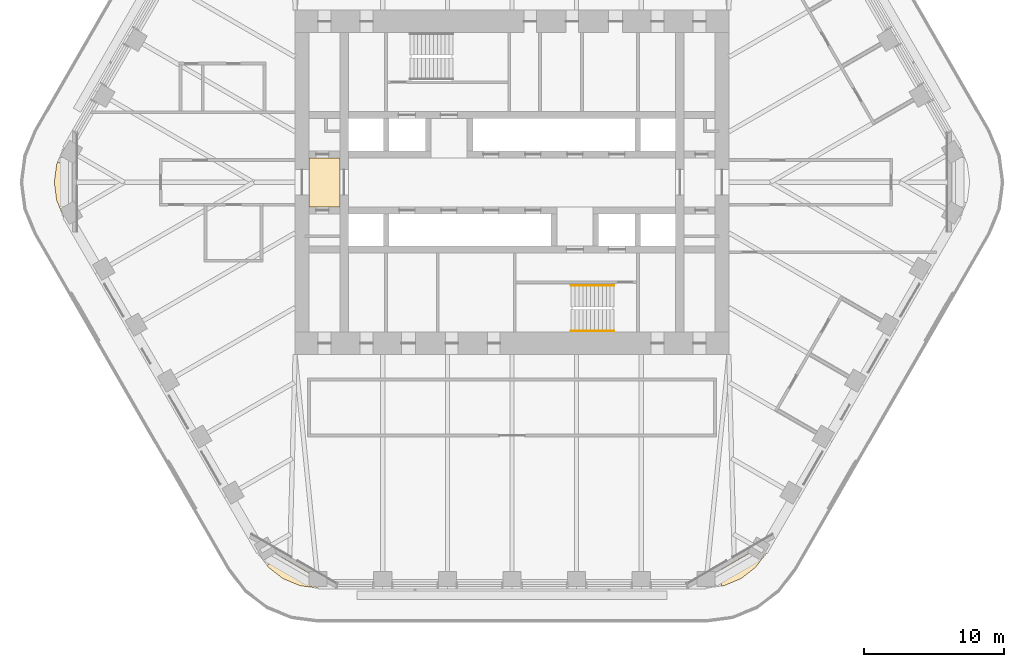
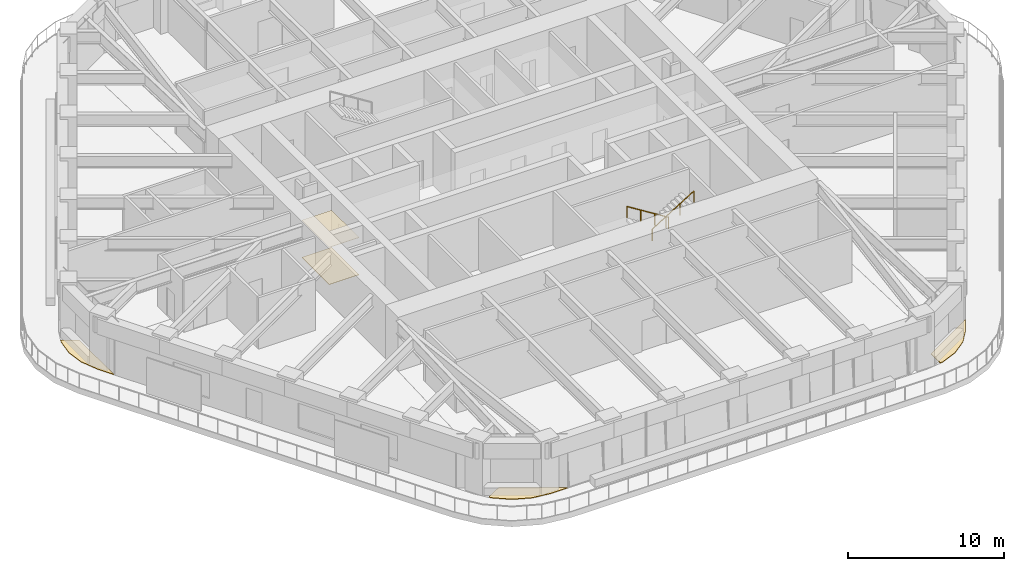
# One storey, part 18 of 20: 5 coverings, 2 railings.
"""IFC4 building model written with IfcOpenShell, lengths in metres."""

from ifc_helpers import new_model, si_unit, direction, frame, origin, origin_2d, place, context, subcontext, project, spatial, polyline, circle, outline, extrude, material, layer, layer_set, type_object, element, save


model = new_model("IFC4")

# Units and contexts
model_context = context("Model", 3, precision=1e-05, world=origin(), true_north=direction((0.0, 1.0)))
body_context = subcontext(model_context, "Body", "Model", "MODEL_VIEW")
ifc_project = project(units=[si_unit("LENGTHUNIT", "METRE"), si_unit("AREAUNIT", "SQUARE_METRE"), si_unit("VOLUMEUNIT", "CUBIC_METRE"), si_unit("PLANEANGLEUNIT", "RADIAN"), si_unit("MASSUNIT", "GRAM", prefix="KILO")], contexts=[model_context])

# Site, building, storey
site_placement = place(None, origin())
site = spatial("IfcSite", under=ifc_project, at=site_placement, CompositionType="ELEMENT")
building_placement = place(site_placement, origin())
building = spatial("IfcBuilding", under=site, at=building_placement, Name="Tarfa Lantern Tower", CompositionType="ELEMENT")
storey_placement = place(building_placement, frame((0.0, 0.0, 240.699951171875)))
storey = spatial("IfcBuildingStorey", under=building, at=storey_placement, Name="L54", CompositionType="ELEMENT", Elevation=240.699951171875)

# Coverings
ifc_material_1 = material(Name="Powder-coated aluminium panel", Category="aluminium")
ifc_layer_1 = layer(ifc_material_1, 0.030029296875)
ifc_layer_set_1 = layer_set([ifc_layer_1], Name="CL3 METAL PANEL CEILING 30")
covering_type_1 = type_object("IfcCoveringType", Name="CL3 METAL PANEL CEILING 30", PredefinedType="CEILING", material=ifc_layer_set_1)
covering_1_placement = place(storey_placement, frame((0.0, 0.0, 2.900146484375)))
element("IfcCovering", 1, at=covering_1_placement, inside=storey, type_object=covering_type_1, Name="Ceiling L54-01", PredefinedType="CEILING", context=body_context, shape_type="SweptSolid", body=[
    extrude(outline(polyline([(-14.5, -1.75), (-12.300048828125, -1.75), (-12.300048828125, 1.75), (-14.5, 1.75), (-14.5, -1.75)])), origin(), (0.0, 0.0, 1.0), 0.02978515625),
])
ifc_material_2 = material(Name="Honed limestone flooring", Category="masonry")
ifc_layer_2 = layer(ifc_material_2, 0.030029296875)
ifc_layer_set_2 = layer_set([ifc_layer_2], Name="FL2 STONE FLOORING 30")
covering_type_2 = type_object("IfcCoveringType", Name="FL2 STONE FLOORING 30", PredefinedType="FLOORING", material=ifc_layer_set_2)
covering_2_placement = place(storey_placement, origin())
element("IfcCovering", 2, at=covering_2_placement, inside=storey, type_object=covering_type_2, Name="Floor finish L54-01", PredefinedType="FLOORING", context=body_context, shape_type="SweptSolid", body=[
    extrude(outline(polyline([(-14.5, -1.75), (-12.300048828125, -1.75), (-12.300048828125, 1.75), (-14.5, 1.75), (-14.5, -1.75)])), origin(), (0.0, 0.0, 1.0), 0.030029296875),
])

# Railings
ifc_material_3 = material(Name="Stainless steel", Category="steel")
railing_type = type_object("IfcRailingType", Name="HR1 HANDRAIL 900", PredefinedType="HANDRAIL", material=ifc_material_3)
railing_1_placement = place(storey_placement, frame((7.300048828125, -7.3798828125, 0.175048828125)))
element("IfcRailing", 3, at=railing_1_placement, inside=storey, type_object=railing_type, Name="Handrail 1", PredefinedType="HANDRAIL", context=body_context, shape_type="SweptSolid", body=[
    extrude(circle(Radius=0.02392578125, at=origin_2d()), frame((0.0, 0.0, 0.8759765625), z_axis=(-0.847998304005, 0.0, 0.529998940003), x_axis=(0.0, -1.0, 0.0)), (0.0, 0.0, 1.0), 3.632080078125),
    extrude(circle(Radius=0.02099609375, at=origin_2d()), frame((0.0, 0.0, 0.0), z_axis=(0.0, 0.0, 1.0), x_axis=(0.0, -1.0, 0.0)), (0.0, 0.0, 1.0), 0.851806640625),
    extrude(circle(Radius=0.02099609375, at=origin_2d()), frame((-1.026611328125, 0.0, 0.6416015625), z_axis=(0.0, 0.0, 1.0), x_axis=(0.0, -1.0, 0.0)), (0.0, 0.0, 1.0), 0.851806640625),
    extrude(circle(Radius=0.02099609375, at=origin_2d()), frame((-2.053466796875, 0.0, 1.283447265625), z_axis=(0.0, 0.0, 1.0), x_axis=(0.0, -1.0, 0.0)), (0.0, 0.0, 1.0), 0.851806640625),
    extrude(circle(Radius=0.02099609375, at=origin_2d()), frame((-3.080078125, 0.0, 1.925048828125), z_axis=(0.0, 0.0, 1.0), x_axis=(0.0, -1.0, 0.0)), (0.0, 0.0, 1.0), 0.851806640625),
])
railing_2_placement = place(storey_placement, frame((4.219970703125, -10.6201171875, 2.275146484375)))
element("IfcRailing", 4, at=railing_2_placement, inside=storey, type_object=railing_type, Name="Handrail 2", PredefinedType="HANDRAIL", context=body_context, shape_type="SweptSolid", body=[
    extrude(circle(Radius=0.02392578125, at=origin_2d()), frame((0.0, 0.0, 0.8759765625), z_axis=(0.848028513186, 0.0, 0.529950602248), x_axis=(0.0, 1.0, 0.0)), (0.0, 0.0, 1.0), 3.632080078125),
    extrude(circle(Radius=0.02099609375, at=origin_2d()), frame((0.0, 0.0, 0.0), z_axis=(0.0, 0.0, 1.0), x_axis=(0.0, 1.0, 0.0)), (0.0, 0.0, 1.0), 0.851806640625),
    extrude(circle(Radius=0.02099609375, at=origin_2d()), frame((1.026611328125, 0.0, 0.6416015625), z_axis=(0.0, 0.0, 1.0), x_axis=(0.0, 1.0, 0.0)), (0.0, 0.0, 1.0), 0.851806640625),
    extrude(circle(Radius=0.02099609375, at=origin_2d()), frame((2.053466796875, 0.0, 1.283203125), z_axis=(0.0, 0.0, 1.0), x_axis=(0.0, 1.0, 0.0)), (0.0, 0.0, 1.0), 0.851806640625),
    extrude(circle(Radius=0.02099609375, at=origin_2d()), frame((3.080078125, 0.0, 1.9248046875), z_axis=(0.0, 0.0, 1.0), x_axis=(0.0, 1.0, 0.0)), (0.0, 0.0, 1.0), 0.851806640625),
])

# Coverings
ifc_material_4 = material(Name="Porcelain pavers on pedestals", Category="ceramic")
ifc_layer_3 = layer(ifc_material_4, 0.0400390625)
ifc_layer_set_3 = layer_set([ifc_layer_3], Name="LP1 LOGGIA PAVING 40")
covering_type_3 = type_object("IfcCoveringType", Name="LP1 LOGGIA PAVING 40", PredefinedType="FLOORING", material=ifc_layer_set_3)
covering_3_placement = place(storey_placement, origin())
element("IfcCovering", 5, at=covering_3_placement, inside=storey, type_object=covering_type_3, Name="Sky garden paving NW-SW", PredefinedType="FLOORING", context=body_context, shape_type="SweptSolid", body=[
    extrude(outline(polyline([(-32.54248046875, -1.294189453125), (-32.712890625, 0.0), (-32.54248046875, 1.294189453125), (-32.467529296875, 1.474853515625), (-31.43310546875, 0.877685546875), (-31.43310546875, -3.55078125), (-31.436279296875, -3.55078125), (-32.04296875, -2.5), (-32.54248046875, -1.294189453125)])), origin(), (0.0, 0.0, 1.0), 0.0400390625),
])
covering_4_placement = place(storey_placement, origin())
element("IfcCovering", 6, at=covering_4_placement, inside=storey, type_object=covering_type_3, Name="Sky garden paving SW-S", PredefinedType="FLOORING", context=body_context, shape_type="SweptSolid", body=[
    extrude(outline(polyline([(-15.150390625, -28.82958984375), (-16.3564453125, -28.330078125), (-17.391845703125, -27.53564453125), (-17.51123046875, -27.380126953125), (-16.4765625, -26.782958984375), (-12.641357421875, -28.997314453125), (-12.64306640625, -29.0), (-13.8564453125, -29.0), (-15.150390625, -28.82958984375)])), origin(), (0.0, 0.0, 1.0), 0.0400390625),
])
covering_5_placement = place(storey_placement, origin())
element("IfcCovering", 7, at=covering_5_placement, inside=storey, type_object=covering_type_3, Name="Sky garden paving S-SE", PredefinedType="FLOORING", context=body_context, shape_type="SweptSolid", body=[
    extrude(outline(polyline([(17.391845703125, -27.53564453125), (16.3564453125, -28.330078125), (15.150390625, -28.82958984375), (14.956298828125, -28.855224609375), (14.956298828125, -27.66064453125), (18.791748046875, -25.4462890625), (18.793212890625, -25.44921875), (18.1865234375, -26.5), (17.391845703125, -27.53564453125)])), origin(), (0.0, 0.0, 1.0), 0.0400390625),
])

save(model, "model.ifc")
